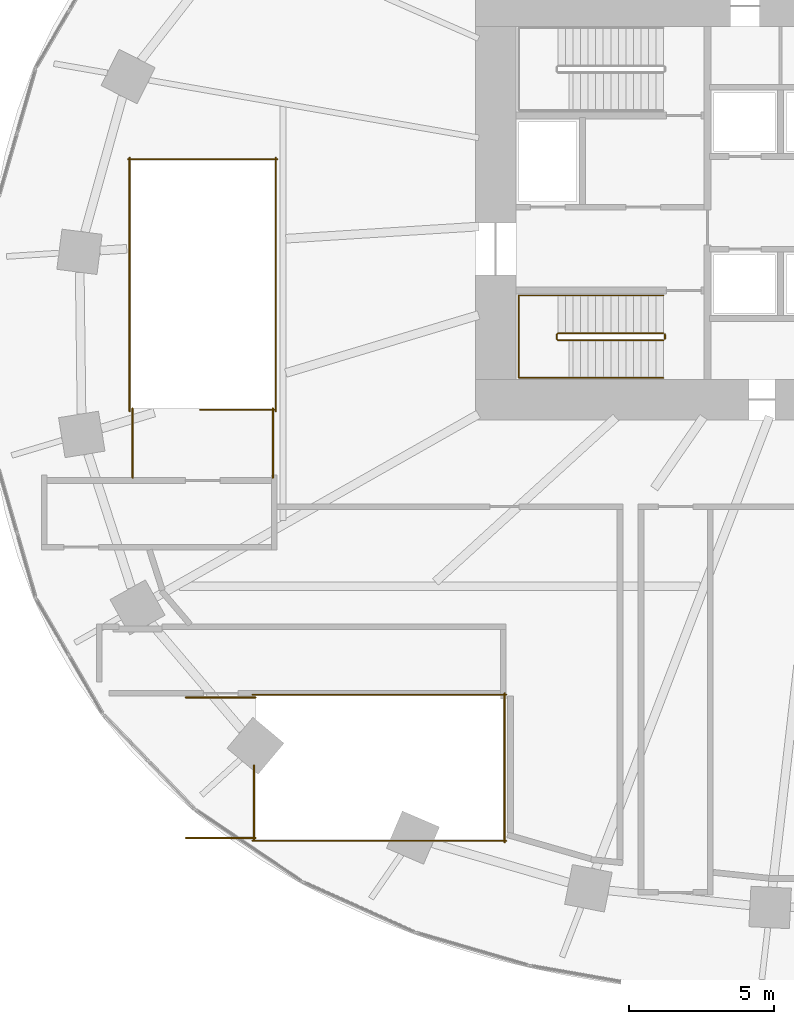
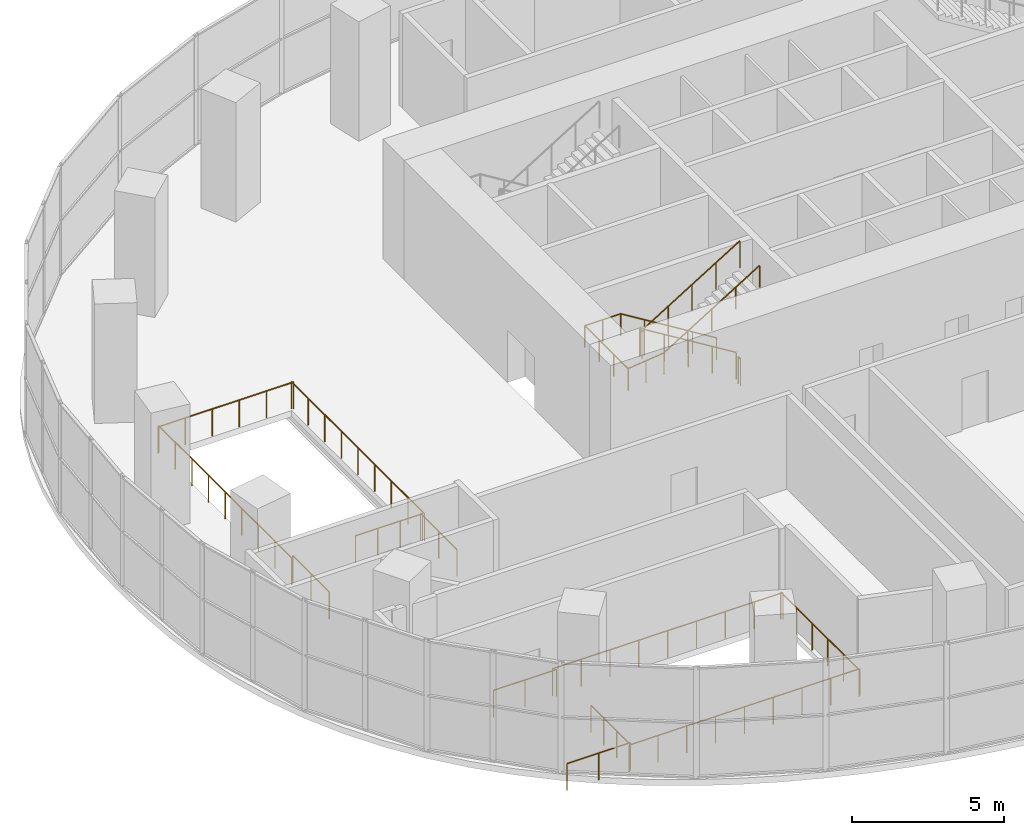
# One storey, part 15 of 17: 15 railings.
"""IFC4 building model written with IfcOpenShell, lengths in metres."""

from ifc_helpers import new_model, si_unit, direction, frame, origin, origin_2d, place, context, subcontext, project, spatial, circle, extrude, material, type_object, element, save


model = new_model("IFC4")

# Units and contexts
model_context = context("Model", 3, precision=1e-05, world=origin(), true_north=direction((0.0, 1.0)))
body_context = subcontext(model_context, "Body", "Model", "MODEL_VIEW")
ifc_project = project(units=[si_unit("LENGTHUNIT", "METRE"), si_unit("AREAUNIT", "SQUARE_METRE"), si_unit("VOLUMEUNIT", "CUBIC_METRE"), si_unit("PLANEANGLEUNIT", "RADIAN"), si_unit("MASSUNIT", "GRAM", prefix="KILO")], contexts=[model_context])

# Site, building, storey
site_placement = place(None, origin())
site = spatial("IfcSite", under=ifc_project, at=site_placement, CompositionType="ELEMENT")
building_placement = place(site_placement, origin())
building = spatial("IfcBuilding", under=site, at=building_placement, Name="Rubra Terraces Tower", CompositionType="ELEMENT")
storey_placement = place(building_placement, frame((0.0, 0.0, 28.199951171875)))
storey = spatial("IfcBuildingStorey", under=building, at=storey_placement, Name="L04", CompositionType="ELEMENT", Elevation=28.199951171875)

# Railings
ifc_material = material(Name="Stainless steel", Category="steel")
railing_type_1 = type_object("IfcRailingType", Name="Core stair guard 1100", PredefinedType="GUARDRAIL", material=ifc_material)
railing_1_placement = place(storey_placement, frame((-6.5, 0.0, 0.16015625)))
element("IfcRailing", 1, at=railing_1_placement, inside=storey, type_object=railing_type_1, Name="L04 stair S1 guard 1", PredefinedType="GUARDRAIL", context=body_context, shape_type="SweptSolid", body=[
    extrude(circle(Radius=0.02392578125, at=origin_2d()), frame((0.0, 0.0, 1.076171875), z_axis=(-0.851652432698, 0.0, 0.524106987055), x_axis=(0.0, -1.0, 0.0)), (0.0, 0.0, 1.0), 4.27392578125),
    extrude(circle(Radius=0.02392578125, at=origin_2d()), frame((-3.639892578125, 0.0, 3.31591796875), z_axis=(-0.707106781187, -0.707106781187, 0.0), x_axis=(0.707106781187, -0.707106781187, 0.0)), (0.0, 0.0, 1.0), 0.07080078125),
    extrude(circle(Radius=0.02392578125, at=origin_2d()), frame((-3.68994140625, -0.050048828125, 3.31591796875), z_axis=(0.0, -1.0, 0.0), x_axis=(1.0, 0.0, 0.0)), (0.0, 0.0, 1.0), 0.14990234375),
    extrude(circle(Radius=0.02392578125, at=origin_2d()), frame((-3.68994140625, -0.199951171875, 3.31591796875), z_axis=(0.286195917343, -0.286195917343, 0.914430857852), x_axis=(0.707106781187, 0.707106781187, 0.0)), (0.0, 0.0, 1.0), 0.1748046875),
    extrude(circle(Radius=0.02392578125, at=origin_2d()), frame((-3.639892578125, -0.25, 3.47607421875), z_axis=(0.851652432698, 0.0, 0.524106987055), x_axis=(0.0, 1.0, 0.0)), (0.0, 0.0, 1.0), 4.27392578125),
    extrude(circle(Radius=0.02099609375, at=origin_2d()), origin(), (0.0, 0.0, 1.0), 1.052001953125),
    extrude(circle(Radius=0.02099609375, at=origin_2d()), frame((-0.909912109375, 0.0, 0.56005859375)), (0.0, 0.0, 1.0), 1.052001953125),
    extrude(circle(Radius=0.02099609375, at=origin_2d()), frame((-1.81982421875, 0.0, 1.1201171875)), (0.0, 0.0, 1.0), 1.052001953125),
    extrude(circle(Radius=0.02099609375, at=origin_2d()), frame((-2.72998046875, 0.0, 1.679931640625)), (0.0, 0.0, 1.0), 1.052001953125),
    extrude(circle(Radius=0.02099609375, at=origin_2d()), frame((-3.639892578125, 0.0, 2.239990234375)), (0.0, 0.0, 1.0), 1.052001953125),
    extrude(circle(Radius=0.02099609375, at=origin_2d()), frame((-3.68994140625, -0.050048828125, 2.239990234375)), (0.0, 0.0, 1.0), 1.052001953125),
    extrude(circle(Radius=0.02099609375, at=origin_2d()), frame((-3.68994140625, -0.199951171875, 2.239990234375)), (0.0, 0.0, 1.0), 1.052001953125),
    extrude(circle(Radius=0.02099609375, at=origin_2d()), frame((-3.639892578125, -0.25, 2.39990234375)), (0.0, 0.0, 1.0), 1.052001953125),
    extrude(circle(Radius=0.02099609375, at=origin_2d()), frame((-2.72998046875, -0.25, 2.9599609375)), (0.0, 0.0, 1.0), 1.052001953125),
    extrude(circle(Radius=0.02099609375, at=origin_2d()), frame((-1.81982421875, -0.25, 3.52001953125)), (0.0, 0.0, 1.0), 1.052001953125),
    extrude(circle(Radius=0.02099609375, at=origin_2d()), frame((-0.909912109375, -0.25, 4.079833984375)), (0.0, 0.0, 1.0), 1.052001953125),
    extrude(circle(Radius=0.02099609375, at=origin_2d()), frame((0.0, -0.25, 4.639892578125)), (0.0, 0.0, 1.0), 1.052001953125),
])
railing_2_placement = place(storey_placement, frame((-6.449951171875, -0.050048828125, 0.0)))
element("IfcRailing", 2, at=railing_2_placement, inside=storey, type_object=railing_type_1, Name="L04 stair S1 guard 2", PredefinedType="GUARDRAIL", context=body_context, shape_type="SweptSolid", body=[
    extrude(circle(Radius=0.02392578125, at=origin_2d()), frame((0.0, 0.0, 1.076171875), z_axis=(0.0, -1.0, 0.0), x_axis=(1.0, 0.0, 0.0)), (0.0, 0.0, 1.0), 0.14990234375),
    extrude(circle(Radius=0.02099609375, at=origin_2d()), origin(), (0.0, 0.0, 1.0), 1.052001953125),
    extrude(circle(Radius=0.02099609375, at=origin_2d()), frame((0.0, -0.14990234375, 0.0)), (0.0, 0.0, 1.0), 1.052001953125),
])
railing_type_2 = type_object("IfcRailingType", Name="Core stair handrail 900", PredefinedType="HANDRAIL", material=ifc_material)
railing_3_placement = place(storey_placement, frame((-6.5, 1.300048828125, 0.16015625)))
element("IfcRailing", 3, at=railing_3_placement, inside=storey, type_object=railing_type_2, Name="L04 stair S1 handrail 1", PredefinedType="HANDRAIL", context=body_context, shape_type="SweptSolid", body=[
    extrude(circle(Radius=0.02392578125, at=origin_2d()), frame((0.0, 0.0, 0.8759765625), z_axis=(-0.851652432698, 0.0, 0.524106987055), x_axis=(0.0, -1.0, 0.0)), (0.0, 0.0, 1.0), 4.27392578125),
    extrude(circle(Radius=0.02392578125, at=origin_2d()), frame((-3.639892578125, 0.0, 3.11572265625), z_axis=(-1.0, 0.0, 0.0), x_axis=(0.0, -1.0, 0.0)), (0.0, 0.0, 1.0), 1.360107421875),
    extrude(circle(Radius=0.02392578125, at=origin_2d()), frame((-5.0, 0.0, 3.11572265625), z_axis=(0.0, -1.0, 0.0), x_axis=(1.0, 0.0, 0.0)), (0.0, 0.0, 1.0), 2.85009765625),
    extrude(circle(Radius=0.02392578125, at=origin_2d()), frame((-5.0, -2.85009765625, 3.11572265625), z_axis=(0.993159119849, 0.0, 0.116768842847), x_axis=(0.0, 1.0, 0.0)), (0.0, 0.0, 1.0), 1.369384765625),
    extrude(circle(Radius=0.02392578125, at=origin_2d()), frame((-3.639892578125, -2.85009765625, 3.27587890625), z_axis=(0.851652432698, 0.0, 0.524106987055), x_axis=(0.0, 1.0, 0.0)), (0.0, 0.0, 1.0), 4.27392578125),
    extrude(circle(Radius=0.02099609375, at=origin_2d()), origin(), (0.0, 0.0, 1.0), 0.851806640625),
    extrude(circle(Radius=0.02099609375, at=origin_2d()), frame((-0.909912109375, 0.0, 0.56005859375)), (0.0, 0.0, 1.0), 0.851806640625),
    extrude(circle(Radius=0.02099609375, at=origin_2d()), frame((-1.81982421875, 0.0, 1.1201171875)), (0.0, 0.0, 1.0), 0.851806640625),
    extrude(circle(Radius=0.02099609375, at=origin_2d()), frame((-2.72998046875, 0.0, 1.679931640625)), (0.0, 0.0, 1.0), 0.851806640625),
    extrude(circle(Radius=0.02099609375, at=origin_2d()), frame((-3.639892578125, 0.0, 2.239990234375)), (0.0, 0.0, 1.0), 0.851806640625),
    extrude(circle(Radius=0.02099609375, at=origin_2d()), frame((-4.31982421875, 0.0, 2.239990234375)), (0.0, 0.0, 1.0), 0.851806640625),
    extrude(circle(Radius=0.02099609375, at=origin_2d()), frame((-5.0, 0.0, 2.239990234375)), (0.0, 0.0, 1.0), 0.851806640625),
    extrude(circle(Radius=0.02099609375, at=origin_2d()), frame((-5.0, -0.949951171875, 2.239990234375)), (0.0, 0.0, 1.0), 0.851806640625),
    extrude(circle(Radius=0.02099609375, at=origin_2d()), frame((-5.0, -1.900146484375, 2.239990234375)), (0.0, 0.0, 1.0), 0.851806640625),
    extrude(circle(Radius=0.02099609375, at=origin_2d()), frame((-5.0, -2.85009765625, 2.239990234375)), (0.0, 0.0, 1.0), 0.851806640625),
    extrude(circle(Radius=0.02099609375, at=origin_2d()), frame((-4.31982421875, -2.85009765625, 2.31982421875)), (0.0, 0.0, 1.0), 0.851806640625),
    extrude(circle(Radius=0.02099609375, at=origin_2d()), frame((-3.639892578125, -2.85009765625, 2.39990234375)), (0.0, 0.0, 1.0), 0.851806640625),
    extrude(circle(Radius=0.02099609375, at=origin_2d()), frame((-2.72998046875, -2.85009765625, 2.9599609375)), (0.0, 0.0, 1.0), 0.851806640625),
    extrude(circle(Radius=0.02099609375, at=origin_2d()), frame((-1.81982421875, -2.85009765625, 3.52001953125)), (0.0, 0.0, 1.0), 0.851806640625),
    extrude(circle(Radius=0.02099609375, at=origin_2d()), frame((-0.909912109375, -2.85009765625, 4.079833984375)), (0.0, 0.0, 1.0), 0.851806640625),
    extrude(circle(Radius=0.02099609375, at=origin_2d()), frame((0.0, -2.85009765625, 4.639892578125)), (0.0, 0.0, 1.0), 0.851806640625),
])
railing_type_3 = type_object("IfcRailingType", Name="Public stair guard 1100", PredefinedType="GUARDRAIL", material=ifc_material)
railing_4_placement = place(storey_placement, frame((-19.949951171875, -2.64990234375, 0.0)))
element("IfcRailing", 4, at=railing_4_placement, inside=storey, type_object=railing_type_3, Name="L04 PS1 top well guard 1", PredefinedType="GUARDRAIL", context=body_context, shape_type="SweptSolid", body=[
    extrude(circle(Radius=0.02392578125, at=origin_2d()), frame((0.0, 0.0, 1.076171875), z_axis=(-1.0, 0.0, 0.0), x_axis=(0.0, -1.0, 0.0)), (0.0, 0.0, 1.0), 2.550048828125),
    extrude(circle(Radius=0.02099609375, at=origin_2d()), origin(), (0.0, 0.0, 1.0), 1.052001953125),
    extrude(circle(Radius=0.02099609375, at=origin_2d()), frame((-0.85009765625, 0.0, 0.0)), (0.0, 0.0, 1.0), 1.052001953125),
    extrude(circle(Radius=0.02099609375, at=origin_2d()), frame((-1.699951171875, 0.0, 0.0)), (0.0, 0.0, 1.0), 1.052001953125),
    extrude(circle(Radius=0.02099609375, at=origin_2d()), frame((-2.550048828125, 0.0, 0.0)), (0.0, 0.0, 1.0), 1.052001953125),
])
for number, where, name in (
    (5, (-19.89990234375, -2.699951171875, 0.0), "L04 PS1 top well guard 2"),
    (6, (-24.949951171875, -2.699951171875, 0.0), "L04 PS1 top well guard 3"),
):
    element("IfcRailing", number, at=place(storey_placement, frame(where)), inside=storey, type_object=railing_type_3, Name=name, PredefinedType="GUARDRAIL", context=body_context, shape_type="SweptSolid", body=[
        extrude(circle(Radius=0.02392578125, at=origin_2d()), frame((0.0, 0.0, 1.076171875), z_axis=(0.0, 1.0, 0.0), x_axis=(-1.0, 0.0, 0.0)), (0.0, 0.0, 1.0), 8.760009765625),
        extrude(circle(Radius=0.02099609375, at=origin_2d()), origin(), (0.0, 0.0, 1.0), 1.052001953125),
        extrude(circle(Radius=0.02099609375, at=origin_2d()), frame((0.0, 1.094970703125, 0.0)), (0.0, 0.0, 1.0), 1.052001953125),
        extrude(circle(Radius=0.02099609375, at=origin_2d()), frame((0.0, 2.18994140625, 0.0)), (0.0, 0.0, 1.0), 1.052001953125),
        extrude(circle(Radius=0.02099609375, at=origin_2d()), frame((0.0, 3.284912109375, 0.0)), (0.0, 0.0, 1.0), 1.052001953125),
        extrude(circle(Radius=0.02099609375, at=origin_2d()), frame((0.0, 4.3798828125, 0.0)), (0.0, 0.0, 1.0), 1.052001953125),
        extrude(circle(Radius=0.02099609375, at=origin_2d()), frame((0.0, 5.47509765625, 0.0)), (0.0, 0.0, 1.0), 1.052001953125),
        extrude(circle(Radius=0.02099609375, at=origin_2d()), frame((0.0, 6.570068359375, 0.0)), (0.0, 0.0, 1.0), 1.052001953125),
        extrude(circle(Radius=0.02099609375, at=origin_2d()), frame((0.0, 7.6650390625, 0.0)), (0.0, 0.0, 1.0), 1.052001953125),
        extrude(circle(Radius=0.02099609375, at=origin_2d()), frame((0.0, 8.760009765625, 0.0)), (0.0, 0.0, 1.0), 1.052001953125),
    ])
railing_5_placement = place(storey_placement, frame((-19.85009765625, 6.010009765625, 0.0)))
element("IfcRailing", 7, at=railing_5_placement, inside=storey, type_object=railing_type_3, Name="L04 PS1 top well guard 4", PredefinedType="GUARDRAIL", context=body_context, shape_type="SweptSolid", body=[
    extrude(circle(Radius=0.02392578125, at=origin_2d()), frame((0.0, 0.0, 1.076171875), z_axis=(-1.0, 0.0, 0.0), x_axis=(0.0, -1.0, 0.0)), (0.0, 0.0, 1.0), 5.14990234375),
    extrude(circle(Radius=0.02099609375, at=origin_2d()), origin(), (0.0, 0.0, 1.0), 1.052001953125),
    extrude(circle(Radius=0.02099609375, at=origin_2d()), frame((-1.030029296875, 0.0, 0.0)), (0.0, 0.0, 1.0), 1.052001953125),
    extrude(circle(Radius=0.02099609375, at=origin_2d()), frame((-2.06005859375, 0.0, 0.0)), (0.0, 0.0, 1.0), 1.052001953125),
    extrude(circle(Radius=0.02099609375, at=origin_2d()), frame((-3.08984375, 0.0, 0.0)), (0.0, 0.0, 1.0), 1.052001953125),
    extrude(circle(Radius=0.02099609375, at=origin_2d()), frame((-4.119873046875, 0.0, 0.0)), (0.0, 0.0, 1.0), 1.052001953125),
    extrude(circle(Radius=0.02099609375, at=origin_2d()), frame((-5.14990234375, 0.0, 0.0)), (0.0, 0.0, 1.0), 1.052001953125),
])
for number, where, name in (
    (8, (-20.0, -5.0, 0.0), "L04 PS1 top well guard 5"),
    (9, (-24.85009765625, -5.0, 0.0), "L04 PS1 top well guard 6"),
):
    element("IfcRailing", number, at=place(storey_placement, frame(where)), inside=storey, type_object=railing_type_3, Name=name, PredefinedType="GUARDRAIL", context=body_context, shape_type="SweptSolid", body=[
        extrude(circle(Radius=0.02392578125, at=origin_2d()), frame((0.0, 0.0, 1.076171875), z_axis=(0.0, 1.0, 0.0), x_axis=(-1.0, 0.0, 0.0)), (0.0, 0.0, 1.0), 2.39990234375),
        extrude(circle(Radius=0.02099609375, at=origin_2d()), origin(), (0.0, 0.0, 1.0), 1.052001953125),
        extrude(circle(Radius=0.02099609375, at=origin_2d()), frame((0.0, 1.199951171875, 0.0)), (0.0, 0.0, 1.0), 1.052001953125),
        extrude(circle(Radius=0.02099609375, at=origin_2d()), frame((0.0, 2.39990234375, 0.0)), (0.0, 0.0, 1.0), 1.052001953125),
    ])
railing_6_placement = place(storey_placement, frame((-20.64990234375, -17.5, 0.0)))
element("IfcRailing", 10, at=railing_6_placement, inside=storey, type_object=railing_type_3, Name="L04 PS3 top well guard 1", PredefinedType="GUARDRAIL", context=body_context, shape_type="SweptSolid", body=[
    extrude(circle(Radius=0.02392578125, at=origin_2d()), frame((0.0, 0.0, 1.076171875), z_axis=(0.0, 1.0, 0.0), x_axis=(-1.0, 0.0, 0.0)), (0.0, 0.0, 1.0), 2.550048828125),
    extrude(circle(Radius=0.02099609375, at=origin_2d()), origin(), (0.0, 0.0, 1.0), 1.052001953125),
    extrude(circle(Radius=0.02099609375, at=origin_2d()), frame((0.0, 0.85009765625, 0.0)), (0.0, 0.0, 1.0), 1.052001953125),
    extrude(circle(Radius=0.02099609375, at=origin_2d()), frame((0.0, 1.699951171875, 0.0)), (0.0, 0.0, 1.0), 1.052001953125),
    extrude(circle(Radius=0.02099609375, at=origin_2d()), frame((0.0, 2.550048828125, 0.0)), (0.0, 0.0, 1.0), 1.052001953125),
])
for number, where, name in (
    (11, (-20.699951171875, -17.550048828125, 0.0), "L04 PS3 top well guard 2"),
    (12, (-20.699951171875, -12.5, 0.0), "L04 PS3 top well guard 3"),
):
    element("IfcRailing", number, at=place(storey_placement, frame(where)), inside=storey, type_object=railing_type_3, Name=name, PredefinedType="GUARDRAIL", context=body_context, shape_type="SweptSolid", body=[
        extrude(circle(Radius=0.02392578125, at=origin_2d()), frame((0.0, 0.0, 1.076171875), z_axis=(1.0, 0.0, 0.0), x_axis=(0.0, 1.0, 0.0)), (0.0, 0.0, 1.0), 8.760009765625),
        extrude(circle(Radius=0.02099609375, at=origin_2d()), origin(), (0.0, 0.0, 1.0), 1.052001953125),
        extrude(circle(Radius=0.02099609375, at=origin_2d()), frame((1.094970703125, 0.0, 0.0)), (0.0, 0.0, 1.0), 1.052001953125),
        extrude(circle(Radius=0.02099609375, at=origin_2d()), frame((2.18994140625, 0.0, 0.0)), (0.0, 0.0, 1.0), 1.052001953125),
        extrude(circle(Radius=0.02099609375, at=origin_2d()), frame((3.284912109375, 0.0, 0.0)), (0.0, 0.0, 1.0), 1.052001953125),
        extrude(circle(Radius=0.02099609375, at=origin_2d()), frame((4.3798828125, 0.0, 0.0)), (0.0, 0.0, 1.0), 1.052001953125),
        extrude(circle(Radius=0.02099609375, at=origin_2d()), frame((5.47509765625, 0.0, 0.0)), (0.0, 0.0, 1.0), 1.052001953125),
        extrude(circle(Radius=0.02099609375, at=origin_2d()), frame((6.570068359375, 0.0, 0.0)), (0.0, 0.0, 1.0), 1.052001953125),
        extrude(circle(Radius=0.02099609375, at=origin_2d()), frame((7.6650390625, 0.0, 0.0)), (0.0, 0.0, 1.0), 1.052001953125),
        extrude(circle(Radius=0.02099609375, at=origin_2d()), frame((8.760009765625, 0.0, 0.0)), (0.0, 0.0, 1.0), 1.052001953125),
    ])
railing_7_placement = place(storey_placement, frame((-11.989990234375, -17.60009765625, 0.0)))
element("IfcRailing", 13, at=railing_7_placement, inside=storey, type_object=railing_type_3, Name="L04 PS3 top well guard 4", PredefinedType="GUARDRAIL", context=body_context, shape_type="SweptSolid", body=[
    extrude(circle(Radius=0.02392578125, at=origin_2d()), frame((0.0, 0.0, 1.076171875), z_axis=(0.0, 1.0, 0.0), x_axis=(-1.0, 0.0, 0.0)), (0.0, 0.0, 1.0), 5.150146484375),
    extrude(circle(Radius=0.02099609375, at=origin_2d()), origin(), (0.0, 0.0, 1.0), 1.052001953125),
    extrude(circle(Radius=0.02099609375, at=origin_2d()), frame((0.0, 1.030029296875, 0.0)), (0.0, 0.0, 1.0), 1.052001953125),
    extrude(circle(Radius=0.02099609375, at=origin_2d()), frame((0.0, 2.06005859375, 0.0)), (0.0, 0.0, 1.0), 1.052001953125),
    extrude(circle(Radius=0.02099609375, at=origin_2d()), frame((0.0, 3.090087890625, 0.0)), (0.0, 0.0, 1.0), 1.052001953125),
    extrude(circle(Radius=0.02099609375, at=origin_2d()), frame((0.0, 4.1201171875, 0.0)), (0.0, 0.0, 1.0), 1.052001953125),
    extrude(circle(Radius=0.02099609375, at=origin_2d()), frame((0.0, 5.150146484375, 0.0)), (0.0, 0.0, 1.0), 1.052001953125),
])
for number, where, name in (
    (14, (-23.0, -17.449951171875, 0.0), "L04 PS3 top well guard 5"),
    (15, (-23.0, -12.60009765625, 0.0), "L04 PS3 top well guard 6"),
):
    element("IfcRailing", number, at=place(storey_placement, frame(where)), inside=storey, type_object=railing_type_3, Name=name, PredefinedType="GUARDRAIL", context=body_context, shape_type="SweptSolid", body=[
        extrude(circle(Radius=0.02392578125, at=origin_2d()), frame((0.0, 0.0, 1.076171875), z_axis=(1.0, 0.0, 0.0), x_axis=(0.0, 1.0, 0.0)), (0.0, 0.0, 1.0), 2.39990234375),
        extrude(circle(Radius=0.02099609375, at=origin_2d()), origin(), (0.0, 0.0, 1.0), 1.052001953125),
        extrude(circle(Radius=0.02099609375, at=origin_2d()), frame((1.199951171875, 0.0, 0.0)), (0.0, 0.0, 1.0), 1.052001953125),
        extrude(circle(Radius=0.02099609375, at=origin_2d()), frame((2.39990234375, 0.0, 0.0)), (0.0, 0.0, 1.0), 1.052001953125),
    ])

save(model, "model.ifc")
